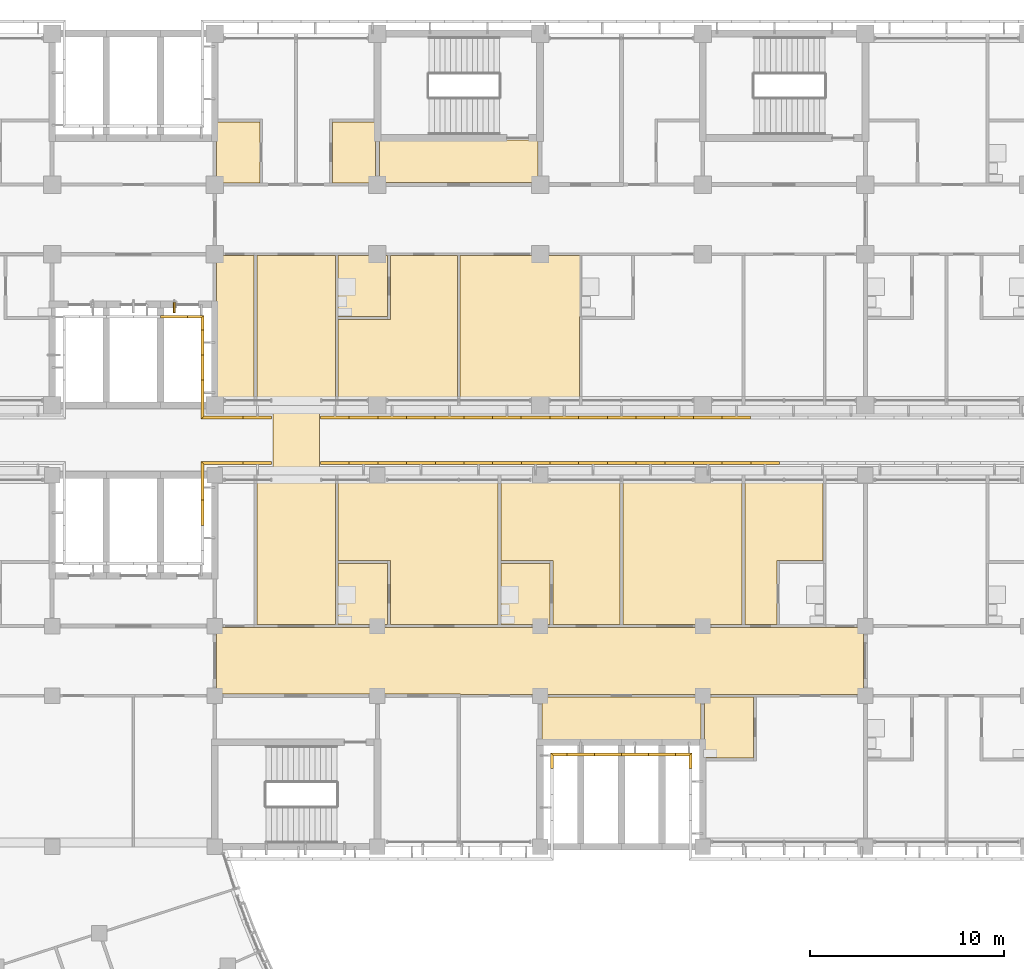
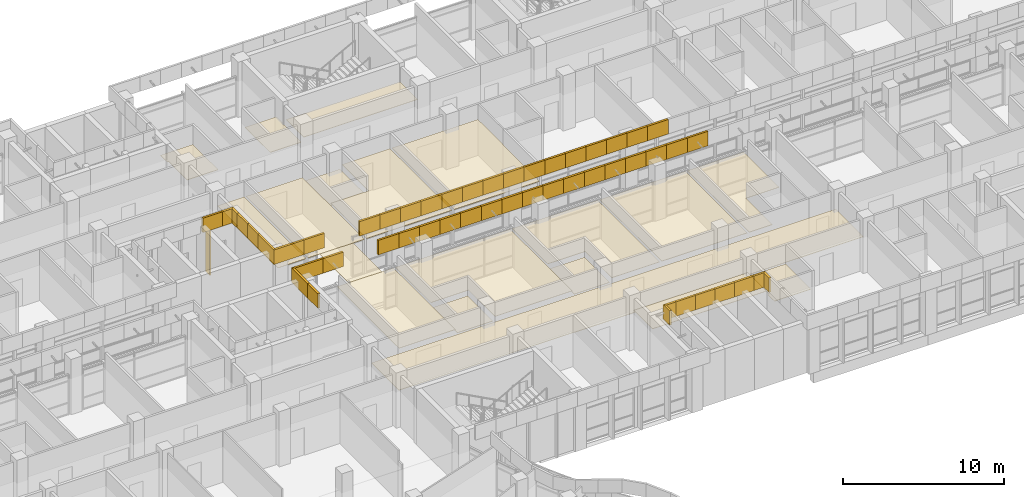
# One storey, part 126 of 137: 70 coverings, 1 shading device.
"""IFC4 building model written with IfcOpenShell, lengths in metres."""

from ifc_helpers import new_model, si_unit, direction, frame, origin, origin_2d, place, context, subcontext, project, spatial, polyline, rectangle, outline, extrude, material, layer, layer_set, material_profile, profile_set, type_object, element, save


model = new_model("IFC4")

# Units and contexts
model_context = context("Model", 3, precision=1e-05, world=origin(), true_north=direction((0.0, 1.0)))
body_context = subcontext(model_context, "Body", "Model", "MODEL_VIEW")
ifc_project = project(units=[si_unit("LENGTHUNIT", "METRE"), si_unit("AREAUNIT", "SQUARE_METRE"), si_unit("VOLUMEUNIT", "CUBIC_METRE"), si_unit("PLANEANGLEUNIT", "RADIAN"), si_unit("MASSUNIT", "GRAM", prefix="KILO")], contexts=[model_context])

# Site, building, storey
site_placement = place(None, origin())
site = spatial("IfcSite", under=ifc_project, at=site_placement, CompositionType="ELEMENT")
building_placement = place(site_placement, origin())
building = spatial("IfcBuilding", under=site, at=building_placement, Name="Bougainvillea Quay General Hospital", CompositionType="ELEMENT")
storey_placement = place(building_placement, frame((0.0, 0.0, 16.800048828125)))
storey = spatial("IfcBuildingStorey", under=building, at=storey_placement, Name="L03", CompositionType="ELEMENT", Elevation=16.800048828125)

# Coverings
ifc_material_1 = material(Name="Powder-coated aluminium fascia, white", Category="aluminium")
ifc_layer_1 = layer(ifc_material_1, 0.14990234375)
ifc_layer_set_1 = layer_set([ifc_layer_1], Name="Powder-coated aluminium fascia, white")
covering_type_1 = type_object("IfcCoveringType", Name="Aluminium fascia band white 150x1100", PredefinedType="CLADDING", material=ifc_layer_set_1)
covering_1_placement = place(storey_placement, frame((72.800048828125, 145.050048828125, 3.64990234375), z_axis=(0.0, 0.0, 1.0), x_axis=(1.0, 0.0, 0.0)))
element("IfcCovering", 1, at=covering_1_placement, inside=storey, type_object=covering_type_1, Name="Fascia band white e0 204", PredefinedType="CLADDING", context=body_context, shape_type="SweptSolid", body=[
    extrude(outline(polyline([(0.0, 0.0), (1.39990234375, 0.0), (1.39990234375, -0.150146484375), (0.0, -0.150146484375), (0.0, 0.0)])), origin(), (0.0, 0.0, 1.0), 1.10009765625),
])
covering_2_placement = place(storey_placement, frame((74.199951171875, 145.050048828125, 3.64990234375), z_axis=(0.0, 0.0, 1.0), x_axis=(1.0, 0.0, 0.0)))
element("IfcCovering", 2, at=covering_2_placement, inside=storey, type_object=covering_type_1, Name="Fascia band white e0 205", PredefinedType="CLADDING", context=body_context, shape_type="SweptSolid", body=[
    extrude(outline(polyline([(0.0, 0.0), (0.85009765625, 0.0), (0.699951171875, -0.150146484375), (0.0, -0.150146484375), (0.0, 0.0)])), origin(), (0.0, 0.0, 1.0), 1.10009765625),
])
covering_3_placement = place(storey_placement, frame((75.050048828125, 145.050048828125, 3.64990234375), z_axis=(0.0, 0.0, 1.0), x_axis=(0.0, -1.0, 0.0)))
element("IfcCovering", 3, at=covering_3_placement, inside=storey, type_object=covering_type_1, Name="Fascia band white e0 206", PredefinedType="CLADDING", context=body_context, shape_type="SweptSolid", body=[
    extrude(outline(polyline([(0.0, 0.0), (0.75, 0.0), (0.75, -0.150146484375), (0.150146484375, -0.150146484375), (0.0, 0.0)])), origin(), (0.0, 0.0, 1.0), 1.10009765625),
])
for number, where, z_axis, x_axis, name in (
    (4, (75.050048828125, 144.300048828125, 3.64990234375), (0.0, 0.0, 1.0), (0.0, -1.0, 0.0), "Fascia band white e0 207"),
    (5, (75.050048828125, 143.0, 3.64990234375), (0.0, 0.0, 1.0), (0.0, -1.0, 0.0), "Fascia band white e0 208"),
):
    element("IfcCovering", number, at=place(storey_placement, frame(where, z_axis=z_axis, x_axis=x_axis)), inside=storey, type_object=covering_type_1, Name=name, PredefinedType="CLADDING", context=body_context, shape_type="SweptSolid", body=[
        extrude(outline(polyline([(0.0, 0.0), (1.300048828125, 0.0), (1.300048828125, -0.150146484375), (0.0, -0.150146484375), (0.0, 0.0)])), origin(), (0.0, 0.0, 1.0), 1.10009765625),
    ])
covering_4_placement = place(storey_placement, frame((75.050048828125, 141.699951171875, 3.64990234375), z_axis=(0.0, 0.0, 1.0), x_axis=(0.0, -1.0, 0.0)))
element("IfcCovering", 6, at=covering_4_placement, inside=storey, type_object=covering_type_1, Name="Fascia band white e0 209", PredefinedType="CLADDING", context=body_context, shape_type="SweptSolid", body=[
    extrude(outline(polyline([(0.0, 0.0), (1.849853515625, 0.0), (2.0, -0.150146484375), (0.0, -0.150146484375), (0.0, 0.0)])), origin(), (0.0, 0.0, 1.0), 1.10009765625),
])
covering_5_placement = place(storey_placement, frame((75.050048828125, 139.85009765625, 3.64990234375), z_axis=(0.0, 0.0, 1.0), x_axis=(1.0, 0.0, 0.0)))
element("IfcCovering", 7, at=covering_5_placement, inside=storey, type_object=covering_type_1, Name="Fascia band white e0 210", PredefinedType="CLADDING", context=body_context, shape_type="SweptSolid", body=[
    extrude(outline(polyline([(0.0, 0.0), (2.02001953125, 0.0), (2.02001953125, -0.150146484375), (-0.150146484375, -0.150146484375), (0.0, 0.0)])), origin(), (0.0, 0.0, 1.0), 1.10009765625),
])
covering_6_placement = place(storey_placement, frame((77.070068359375, 139.85009765625, 3.64990234375), z_axis=(0.0, 0.0, 1.0), x_axis=(1.0, 0.0, 0.0)))
element("IfcCovering", 8, at=covering_6_placement, inside=storey, type_object=covering_type_1, Name="Fascia band white e0 211", PredefinedType="CLADDING", context=body_context, shape_type="SweptSolid", body=[
    extrude(outline(polyline([(0.0, 0.0), (1.469970703125, 0.0), (1.469970703125, -0.150146484375), (0.0, -0.150146484375), (0.0, 0.0)])), origin(), (0.0, 0.0, 1.0), 1.10009765625),
])
covering_7_placement = place(storey_placement, frame((81.06005859375, 139.85009765625, 3.64990234375), z_axis=(0.0, 0.0, 1.0), x_axis=(1.0, 0.0, 0.0)))
element("IfcCovering", 9, at=covering_7_placement, inside=storey, type_object=covering_type_1, Name="Fascia band white e1 1", PredefinedType="CLADDING", context=body_context, shape_type="SweptSolid", body=[
    extrude(outline(polyline([(0.0, 0.0), (1.48095703125, 0.0), (1.48095703125, -0.150146484375), (0.0, -0.150146484375), (0.0, 0.0)])), origin(), (0.0, 0.0, 1.0), 1.10009765625),
])
covering_8_placement = place(storey_placement, frame((82.541015625, 139.85009765625, 3.64990234375), z_axis=(0.0, 0.0, 1.0), x_axis=(1.0, 0.0, 0.0)))
element("IfcCovering", 10, at=covering_8_placement, inside=storey, type_object=covering_type_1, Name="Fascia band white e1 2", PredefinedType="CLADDING", context=body_context, shape_type="SweptSolid", body=[
    extrude(outline(polyline([(0.0, 0.0), (1.481201171875, 0.0), (1.481201171875, -0.150146484375), (0.0, -0.150146484375), (0.0, 0.0)])), origin(), (0.0, 0.0, 1.0), 1.10009765625),
])
for number, where, z_axis, x_axis, name in (
    (11, (84.022216796875, 139.85009765625, 3.64990234375), (0.0, 0.0, 1.0), (1.0, 0.0, 0.0), "Fascia band white e1 3"),
    (12, (85.503173828125, 139.85009765625, 3.64990234375), (0.0, 0.0, 1.0), (1.0, 0.0, 0.0), "Fascia band white e1 4"),
):
    element("IfcCovering", number, at=place(storey_placement, frame(where, z_axis=z_axis, x_axis=x_axis)), inside=storey, type_object=covering_type_1, Name=name, PredefinedType="CLADDING", context=body_context, shape_type="SweptSolid", body=[
        extrude(outline(polyline([(0.0, 0.0), (1.48095703125, 0.0), (1.48095703125, -0.150146484375), (0.0, -0.150146484375), (0.0, 0.0)])), origin(), (0.0, 0.0, 1.0), 1.10009765625),
    ])
covering_9_placement = place(storey_placement, frame((86.984130859375, 139.85009765625, 3.64990234375), z_axis=(0.0, 0.0, 1.0), x_axis=(1.0, 0.0, 0.0)))
element("IfcCovering", 13, at=covering_9_placement, inside=storey, type_object=covering_type_1, Name="Fascia band white e1 5", PredefinedType="CLADDING", context=body_context, shape_type="SweptSolid", body=[
    extrude(outline(polyline([(0.0, 0.0), (1.481201171875, 0.0), (1.481201171875, -0.150146484375), (0.0, -0.150146484375), (0.0, 0.0)])), origin(), (0.0, 0.0, 1.0), 1.10009765625),
])
covering_10_placement = place(storey_placement, frame((88.46533203125, 139.85009765625, 3.64990234375), z_axis=(0.0, 0.0, 1.0), x_axis=(1.0, 0.0, 0.0)))
element("IfcCovering", 14, at=covering_10_placement, inside=storey, type_object=covering_type_1, Name="Fascia band white e1 6", PredefinedType="CLADDING", context=body_context, shape_type="SweptSolid", body=[
    extrude(outline(polyline([(0.0, 0.0), (1.48095703125, 0.0), (1.48095703125, -0.150146484375), (0.0, -0.150146484375), (0.0, 0.0)])), origin(), (0.0, 0.0, 1.0), 1.10009765625),
])
covering_11_placement = place(storey_placement, frame((89.9462890625, 139.85009765625, 3.64990234375), z_axis=(0.0, 0.0, 1.0), x_axis=(1.0, 0.0, 0.0)))
element("IfcCovering", 15, at=covering_11_placement, inside=storey, type_object=covering_type_1, Name="Fascia band white e1 7", PredefinedType="CLADDING", context=body_context, shape_type="SweptSolid", body=[
    extrude(outline(polyline([(0.0, 0.0), (1.481201171875, 0.0), (1.481201171875, -0.150146484375), (0.0, -0.150146484375), (0.0, 0.0)])), origin(), (0.0, 0.0, 1.0), 1.10009765625),
])
for number, where, z_axis, x_axis, name in (
    (16, (91.427490234375, 139.85009765625, 3.64990234375), (0.0, 0.0, 1.0), (1.0, 0.0, 0.0), "Fascia band white e1 8"),
    (17, (92.908447265625, 139.85009765625, 3.64990234375), (0.0, 0.0, 1.0), (1.0, 0.0, 0.0), "Fascia band white e1 9"),
):
    element("IfcCovering", number, at=place(storey_placement, frame(where, z_axis=z_axis, x_axis=x_axis)), inside=storey, type_object=covering_type_1, Name=name, PredefinedType="CLADDING", context=body_context, shape_type="SweptSolid", body=[
        extrude(outline(polyline([(0.0, 0.0), (1.48095703125, 0.0), (1.48095703125, -0.150146484375), (0.0, -0.150146484375), (0.0, 0.0)])), origin(), (0.0, 0.0, 1.0), 1.10009765625),
    ])
covering_12_placement = place(storey_placement, frame((94.389404296875, 139.85009765625, 3.64990234375), z_axis=(0.0, 0.0, 1.0), x_axis=(1.0, 0.0, 0.0)))
element("IfcCovering", 18, at=covering_12_placement, inside=storey, type_object=covering_type_1, Name="Fascia band white e1 10", PredefinedType="CLADDING", context=body_context, shape_type="SweptSolid", body=[
    extrude(outline(polyline([(0.0, 0.0), (1.481201171875, 0.0), (1.481201171875, -0.150146484375), (0.0, -0.150146484375), (0.0, 0.0)])), origin(), (0.0, 0.0, 1.0), 1.10009765625),
])
for number, where, z_axis, x_axis, name in (
    (19, (95.87060546875, 139.85009765625, 3.64990234375), (0.0, 0.0, 1.0), (1.0, 0.0, 0.0), "Fascia band white e1 11"),
    (20, (97.3515625, 139.85009765625, 3.64990234375), (0.0, 0.0, 1.0), (1.0, 0.0, 0.0), "Fascia band white e1 12"),
):
    element("IfcCovering", number, at=place(storey_placement, frame(where, z_axis=z_axis, x_axis=x_axis)), inside=storey, type_object=covering_type_1, Name=name, PredefinedType="CLADDING", context=body_context, shape_type="SweptSolid", body=[
        extrude(outline(polyline([(0.0, 0.0), (1.48095703125, 0.0), (1.48095703125, -0.150146484375), (0.0, -0.150146484375), (0.0, 0.0)])), origin(), (0.0, 0.0, 1.0), 1.10009765625),
    ])
covering_13_placement = place(storey_placement, frame((98.83251953125, 139.85009765625, 3.64990234375), z_axis=(0.0, 0.0, 1.0), x_axis=(1.0, 0.0, 0.0)))
element("IfcCovering", 21, at=covering_13_placement, inside=storey, type_object=covering_type_1, Name="Fascia band white e1 13", PredefinedType="CLADDING", context=body_context, shape_type="SweptSolid", body=[
    extrude(outline(polyline([(0.0, 0.0), (1.481201171875, 0.0), (1.481201171875, -0.150146484375), (0.0, -0.150146484375), (0.0, 0.0)])), origin(), (0.0, 0.0, 1.0), 1.10009765625),
])
covering_14_placement = place(storey_placement, frame((100.313720703125, 139.85009765625, 3.64990234375), z_axis=(0.0, 0.0, 1.0), x_axis=(1.0, 0.0, 0.0)))
element("IfcCovering", 22, at=covering_14_placement, inside=storey, type_object=covering_type_1, Name="Fascia band white e1 14", PredefinedType="CLADDING", context=body_context, shape_type="SweptSolid", body=[
    extrude(outline(polyline([(0.0, 0.0), (1.48095703125, 0.0), (1.48095703125, -0.150146484375), (0.0, -0.150146484375), (0.0, 0.0)])), origin(), (0.0, 0.0, 1.0), 1.10009765625),
])
covering_15_placement = place(storey_placement, frame((101.794677734375, 139.85009765625, 3.64990234375), z_axis=(0.0, 0.0, 1.0), x_axis=(1.0, 0.0, 0.0)))
element("IfcCovering", 23, at=covering_15_placement, inside=storey, type_object=covering_type_1, Name="Fascia band white e1 15", PredefinedType="CLADDING", context=body_context, shape_type="SweptSolid", body=[
    extrude(outline(polyline([(0.0, 0.0), (1.481201171875, 0.0), (1.481201171875, -0.150146484375), (0.0, -0.150146484375), (0.0, 0.0)])), origin(), (0.0, 0.0, 1.0), 1.10009765625),
])
covering_16_placement = place(storey_placement, frame((78.5400390625, 137.35009765625, 3.64990234375), z_axis=(0.0, 0.0, 1.0), x_axis=(-1.0, 0.0, 0.0)))
element("IfcCovering", 24, at=covering_16_placement, inside=storey, type_object=covering_type_1, Name="Fascia band white e0 1", PredefinedType="CLADDING", context=body_context, shape_type="SweptSolid", body=[
    extrude(outline(polyline([(0.0, 0.0), (1.469970703125, 0.0), (1.469970703125, -0.14990234375), (0.0, -0.14990234375), (0.0, 0.0)])), origin(), (0.0, 0.0, 1.0), 1.10009765625),
])
covering_17_placement = place(storey_placement, frame((77.070068359375, 137.35009765625, 3.64990234375), z_axis=(0.0, 0.0, 1.0), x_axis=(-1.0, 0.0, 0.0)))
element("IfcCovering", 25, at=covering_17_placement, inside=storey, type_object=covering_type_1, Name="Fascia band white e0 2", PredefinedType="CLADDING", context=body_context, shape_type="SweptSolid", body=[
    extrude(outline(polyline([(0.0, 0.0), (2.02001953125, 0.0), (2.170166015625, -0.14990234375), (0.0, -0.14990234375), (0.0, 0.0)])), origin(), (0.0, 0.0, 1.0), 1.10009765625),
])
covering_18_placement = place(storey_placement, frame((75.050048828125, 137.35009765625, 3.64990234375), z_axis=(0.0, 0.0, 1.0), x_axis=(0.0, -1.0, 0.0)))
element("IfcCovering", 26, at=covering_18_placement, inside=storey, type_object=covering_type_1, Name="Fascia band white e0 3", PredefinedType="CLADDING", context=body_context, shape_type="SweptSolid", body=[
    extrude(outline(polyline([(0.0, 0.0), (1.85009765625, 0.0), (1.85009765625, -0.150146484375), (-0.14990234375, -0.150146484375), (0.0, 0.0)])), origin(), (0.0, 0.0, 1.0), 1.10009765625),
])
covering_19_placement = place(storey_placement, frame((75.050048828125, 135.5, 3.64990234375), z_axis=(0.0, 0.0, 1.0), x_axis=(0.0, -1.0, 0.0)))
element("IfcCovering", 27, at=covering_19_placement, inside=storey, type_object=covering_type_1, Name="Fascia band white e0 4", PredefinedType="CLADDING", context=body_context, shape_type="SweptSolid", body=[
    extrude(outline(polyline([(0.0, 0.0), (1.300048828125, 0.0), (1.300048828125, -0.150146484375), (0.0, -0.150146484375), (0.0, 0.0)])), origin(), (0.0, 0.0, 1.0), 1.10009765625),
])
covering_20_placement = place(storey_placement, frame((92.949951171875, 121.64990234375, 3.64990234375), z_axis=(0.0, 0.0, 1.0), x_axis=(0.0, 1.0, 0.0)))
element("IfcCovering", 28, at=covering_20_placement, inside=storey, type_object=covering_type_1, Name="Fascia band white e1 15", PredefinedType="CLADDING", context=body_context, shape_type="SweptSolid", body=[
    extrude(outline(polyline([(0.0, 0.0), (0.800048828125, 0.0), (0.650146484375, -0.150146484375), (0.0, -0.150146484375), (0.0, 0.0)])), origin(), (0.0, 0.0, 1.0), 1.10009765625),
])
covering_21_placement = place(storey_placement, frame((92.949951171875, 122.449951171875, 3.64990234375), z_axis=(0.0, 0.0, 1.0), x_axis=(1.0, 0.0, 0.0)))
element("IfcCovering", 29, at=covering_21_placement, inside=storey, type_object=covering_type_1, Name="Fascia band white e1 16", PredefinedType="CLADDING", context=body_context, shape_type="SweptSolid", body=[
    extrude(outline(polyline([(0.0, 0.0), (0.85009765625, 0.0), (0.85009765625, -0.14990234375), (0.150146484375, -0.14990234375), (0.0, 0.0)])), origin(), (0.0, 0.0, 1.0), 1.10009765625),
])
covering_22_placement = place(storey_placement, frame((93.800048828125, 122.449951171875, 3.64990234375), z_axis=(0.0, 0.0, 1.0), x_axis=(1.0, 0.0, 0.0)))
element("IfcCovering", 30, at=covering_22_placement, inside=storey, type_object=covering_type_1, Name="Fascia band white e1 17", PredefinedType="CLADDING", context=body_context, shape_type="SweptSolid", body=[
    extrude(outline(polyline([(0.0, 0.0), (1.39990234375, 0.0), (1.39990234375, -0.14990234375), (0.0, -0.14990234375), (0.0, 0.0)])), origin(), (0.0, 0.0, 1.0), 1.10009765625),
])
covering_23_placement = place(storey_placement, frame((95.199951171875, 122.449951171875, 3.64990234375), z_axis=(0.0, 0.0, 1.0), x_axis=(1.0, 0.0, 0.0)))
element("IfcCovering", 31, at=covering_23_placement, inside=storey, type_object=covering_type_1, Name="Fascia band white e1 18", PredefinedType="CLADDING", context=body_context, shape_type="SweptSolid", body=[
    extrude(outline(polyline([(0.0, 0.0), (1.400146484375, 0.0), (1.400146484375, -0.14990234375), (0.0, -0.14990234375), (0.0, 0.0)])), origin(), (0.0, 0.0, 1.0), 1.10009765625),
])
for number, where, z_axis, x_axis, name in (
    (32, (96.60009765625, 122.449951171875, 3.64990234375), (0.0, 0.0, 1.0), (1.0, 0.0, 0.0), "Fascia band white e1 19"),
    (33, (98.0, 122.449951171875, 3.64990234375), (0.0, 0.0, 1.0), (1.0, 0.0, 0.0), "Fascia band white e1 20"),
):
    element("IfcCovering", number, at=place(storey_placement, frame(where, z_axis=z_axis, x_axis=x_axis)), inside=storey, type_object=covering_type_1, Name=name, PredefinedType="CLADDING", context=body_context, shape_type="SweptSolid", body=[
        extrude(outline(polyline([(0.0, 0.0), (1.39990234375, 0.0), (1.39990234375, -0.14990234375), (0.0, -0.14990234375), (0.0, 0.0)])), origin(), (0.0, 0.0, 1.0), 1.10009765625),
    ])
covering_24_placement = place(storey_placement, frame((99.39990234375, 122.449951171875, 3.64990234375), z_axis=(0.0, 0.0, 1.0), x_axis=(1.0, 0.0, 0.0)))
element("IfcCovering", 34, at=covering_24_placement, inside=storey, type_object=covering_type_1, Name="Fascia band white e1 21", PredefinedType="CLADDING", context=body_context, shape_type="SweptSolid", body=[
    extrude(outline(polyline([(0.0, 0.0), (0.85009765625, 0.0), (0.7001953125, -0.14990234375), (0.0, -0.14990234375), (0.0, 0.0)])), origin(), (0.0, 0.0, 1.0), 1.10009765625),
])
covering_25_placement = place(storey_placement, frame((100.25, 122.449951171875, 3.64990234375), z_axis=(0.0, 0.0, 1.0), x_axis=(0.0, -1.0, 0.0)))
element("IfcCovering", 35, at=covering_25_placement, inside=storey, type_object=covering_type_1, Name="Fascia band white e1 22", PredefinedType="CLADDING", context=body_context, shape_type="SweptSolid", body=[
    extrude(outline(polyline([(0.0, 0.0), (0.800048828125, 0.0), (0.800048828125, -0.14990234375), (0.14990234375, -0.14990234375), (0.0, 0.0)])), origin(), (0.0, 0.0, 1.0), 1.10009765625),
])
for number, where, z_axis, x_axis, name in (
    (36, (104.7666015625, 137.35009765625, 3.64990234375), (0.0, 0.0, 1.0), (-1.0, 0.0, 0.0), "Fascia band white e1 135"),
    (37, (103.284912109375, 137.35009765625, 3.64990234375), (0.0, 0.0, 1.0), (-1.0, 0.0, 0.0), "Fascia band white e1 136"),
):
    element("IfcCovering", number, at=place(storey_placement, frame(where, z_axis=z_axis, x_axis=x_axis)), inside=storey, type_object=covering_type_1, Name=name, PredefinedType="CLADDING", context=body_context, shape_type="SweptSolid", body=[
        extrude(outline(polyline([(0.0, 0.0), (1.481689453125, 0.0), (1.481689453125, -0.14990234375), (0.0, -0.14990234375), (0.0, 0.0)])), origin(), (0.0, 0.0, 1.0), 1.10009765625),
    ])
covering_26_placement = place(storey_placement, frame((101.80322265625, 137.35009765625, 3.64990234375), z_axis=(0.0, 0.0, 1.0), x_axis=(-1.0, 0.0, 0.0)))
element("IfcCovering", 38, at=covering_26_placement, inside=storey, type_object=covering_type_1, Name="Fascia band white e1 137", PredefinedType="CLADDING", context=body_context, shape_type="SweptSolid", body=[
    extrude(outline(polyline([(0.0, 0.0), (1.4814453125, 0.0), (1.4814453125, -0.14990234375), (0.0, -0.14990234375), (0.0, 0.0)])), origin(), (0.0, 0.0, 1.0), 1.10009765625),
])
for number, where, z_axis, x_axis, name in (
    (39, (100.32177734375, 137.35009765625, 3.64990234375), (0.0, 0.0, 1.0), (-1.0, 0.0, 0.0), "Fascia band white e1 138"),
    (40, (98.840087890625, 137.35009765625, 3.64990234375), (0.0, 0.0, 1.0), (-1.0, 0.0, 0.0), "Fascia band white e1 139"),
    (41, (97.3583984375, 137.35009765625, 3.64990234375), (0.0, 0.0, 1.0), (-1.0, 0.0, 0.0), "Fascia band white e1 140"),
    (42, (95.876708984375, 137.35009765625, 3.64990234375), (0.0, 0.0, 1.0), (-1.0, 0.0, 0.0), "Fascia band white e1 141"),
    (43, (94.39501953125, 137.35009765625, 3.64990234375), (0.0, 0.0, 1.0), (-1.0, 0.0, 0.0), "Fascia band white e1 142"),
    (44, (92.913330078125, 137.35009765625, 3.64990234375), (0.0, 0.0, 1.0), (-1.0, 0.0, 0.0), "Fascia band white e1 143"),
    (45, (91.431640625, 137.35009765625, 3.64990234375), (0.0, 0.0, 1.0), (-1.0, 0.0, 0.0), "Fascia band white e1 144"),
    (46, (89.949951171875, 137.35009765625, 3.64990234375), (0.0, 0.0, 1.0), (-1.0, 0.0, 0.0), "Fascia band white e1 145"),
    (47, (88.46826171875, 137.35009765625, 3.64990234375), (0.0, 0.0, 1.0), (-1.0, 0.0, 0.0), "Fascia band white e1 146"),
    (48, (86.986572265625, 137.35009765625, 3.64990234375), (0.0, 0.0, 1.0), (-1.0, 0.0, 0.0), "Fascia band white e1 147"),
):
    element("IfcCovering", number, at=place(storey_placement, frame(where, z_axis=z_axis, x_axis=x_axis)), inside=storey, type_object=covering_type_1, Name=name, PredefinedType="CLADDING", context=body_context, shape_type="SweptSolid", body=[
        extrude(outline(polyline([(0.0, 0.0), (1.481689453125, 0.0), (1.481689453125, -0.14990234375), (0.0, -0.14990234375), (0.0, 0.0)])), origin(), (0.0, 0.0, 1.0), 1.10009765625),
    ])
covering_27_placement = place(storey_placement, frame((85.5048828125, 137.35009765625, 3.64990234375), z_axis=(0.0, 0.0, 1.0), x_axis=(-1.0, 0.0, 0.0)))
element("IfcCovering", 49, at=covering_27_placement, inside=storey, type_object=covering_type_1, Name="Fascia band white e1 148", PredefinedType="CLADDING", context=body_context, shape_type="SweptSolid", body=[
    extrude(outline(polyline([(0.0, 0.0), (1.4814453125, 0.0), (1.4814453125, -0.14990234375), (0.0, -0.14990234375), (0.0, 0.0)])), origin(), (0.0, 0.0, 1.0), 1.10009765625),
])
for number, where, z_axis, x_axis, name in (
    (50, (84.0234375, 137.35009765625, 3.64990234375), (0.0, 0.0, 1.0), (-1.0, 0.0, 0.0), "Fascia band white e1 149"),
    (51, (82.541748046875, 137.35009765625, 3.64990234375), (0.0, 0.0, 1.0), (-1.0, 0.0, 0.0), "Fascia band white e1 150"),
):
    element("IfcCovering", number, at=place(storey_placement, frame(where, z_axis=z_axis, x_axis=x_axis)), inside=storey, type_object=covering_type_1, Name=name, PredefinedType="CLADDING", context=body_context, shape_type="SweptSolid", body=[
        extrude(outline(polyline([(0.0, 0.0), (1.481689453125, 0.0), (1.481689453125, -0.14990234375), (0.0, -0.14990234375), (0.0, 0.0)])), origin(), (0.0, 0.0, 1.0), 1.10009765625),
    ])
ifc_material_2 = material(Name="Mineral fibre ceiling tile")
ifc_layer_2 = layer(ifc_material_2, 0.030029296875)
ifc_layer_set_2 = layer_set([ifc_layer_2], Name="Mineral fibre ceiling tile")
covering_type_2 = type_object("IfcCoveringType", Name="Suspended ceiling mineral fibre tile", PredefinedType="CEILING", material=ifc_layer_set_2)
covering_28_placement = place(storey_placement, frame((0.0, 0.0, 2.699951171875)))
element("IfcCovering", 52, at=covering_28_placement, inside=storey, type_object=covering_type_2, Name="Ceiling Ward Link Bridge 1", PredefinedType="CEILING", context=body_context, shape_type="SweptSolid", body=[
    extrude(outline(polyline([(81.0, 136.800048828125), (81.0, 140.39990234375), (78.60009765625, 140.39990234375), (78.60009765625, 136.800048828125), (81.0, 136.800048828125)])), origin(), (0.0, 0.0, 1.0), 0.030029296875),
])
covering_29_placement = place(storey_placement, frame((0.0, 0.0, 2.699951171875)))
element("IfcCovering", 53, at=covering_29_placement, inside=storey, type_object=covering_type_2, Name="Ceiling Smoke-proof Vestibule ST-A2", PredefinedType="CEILING", context=body_context, shape_type="SweptSolid", body=[
    extrude(outline(polyline([(84.10009765625, 154.10009765625), (84.10009765625, 151.89990234375), (92.300048828125, 151.89990234375), (92.300048828125, 154.10009765625), (84.10009765625, 154.10009765625)])), origin(), (0.0, 0.0, 1.0), 0.030029296875),
])
covering_30_placement = place(storey_placement, frame((0.0, 0.0, 2.699951171875)))
element("IfcCovering", 54, at=covering_30_placement, inside=storey, type_object=covering_type_2, Name="Ceiling Dirty Utility and Sluice Room 03A08", PredefinedType="CEILING", context=body_context, shape_type="SweptSolid", body=[
    extrude(outline(polyline([(77.625, 140.39990234375), (77.625, 148.125), (75.699951171875, 148.125), (75.699951171875, 145.60009765625), (75.60009765625, 145.60009765625), (75.60009765625, 140.39990234375), (77.625, 140.39990234375)])), origin(), (0.0, 0.0, 1.0), 0.030029296875),
])
covering_31_placement = place(storey_placement, frame((0.0, 0.0, 2.39990234375)))
element("IfcCovering", 55, at=covering_31_placement, inside=storey, type_object=covering_type_2, Name="Ceiling En-suite 03A09", PredefinedType="CEILING", context=body_context, shape_type="SweptSolid", body=[
    extrude(outline(polyline([(75.60009765625, 154.199951171875), (75.699951171875, 154.199951171875), (75.699951171875, 151.875), (77.925048828125, 151.875), (77.925048828125, 155.02490234375), (75.60009765625, 155.02490234375), (75.60009765625, 154.199951171875)])), origin(), (0.0, 0.0, 1.0), 0.030029296875),
])
covering_32_placement = place(storey_placement, frame((0.0, 0.0, 2.39990234375)))
element("IfcCovering", 56, at=covering_32_placement, inside=storey, type_object=covering_type_2, Name="Ceiling En-suite 03A10", PredefinedType="CEILING", context=body_context, shape_type="SweptSolid", body=[
    extrude(outline(polyline([(83.949951171875, 154.300048828125), (83.949951171875, 155.02490234375), (81.675048828125, 155.02490234375), (81.675048828125, 151.875), (83.89990234375, 151.875), (83.89990234375, 154.300048828125), (83.949951171875, 154.300048828125)])), origin(), (0.0, 0.0, 1.0), 0.030029296875),
])
covering_33_placement = place(storey_placement, frame((0.0, 0.0, 2.699951171875)))
element("IfcCovering", 57, at=covering_33_placement, inside=storey, type_object=covering_type_2, Name="Ceiling Two-bed Gynaecology Room 03A11", PredefinedType="CEILING", context=body_context, shape_type="SweptSolid", body=[
    extrude(outline(polyline([(88.125, 140.39990234375), (88.125, 148.125), (84.675048828125, 148.125), (84.675048828125, 144.824951171875), (81.97509765625, 144.824951171875), (81.97509765625, 140.39990234375), (88.125, 140.39990234375)])), origin(), (0.0, 0.0, 1.0), 0.030029296875),
])
covering_34_placement = place(storey_placement, frame((0.0, 0.0, 2.39990234375)))
element("IfcCovering", 58, at=covering_34_placement, inside=storey, type_object=covering_type_2, Name="Ceiling En-suite 03A11", PredefinedType="CEILING", context=body_context, shape_type="SweptSolid", body=[
    extrude(outline(polyline([(84.52490234375, 148.125), (81.97509765625, 148.125), (81.97509765625, 144.97509765625), (84.52490234375, 144.97509765625), (84.52490234375, 148.125)])), origin(), (0.0, 0.0, 1.0), 0.030029296875),
])
covering_35_placement = place(storey_placement, frame((0.0, 0.0, 2.699951171875)))
element("IfcCovering", 59, at=covering_35_placement, inside=storey, type_object=covering_type_2, Name="Ceiling Nurses' Station 03A12", PredefinedType="CEILING", context=body_context, shape_type="SweptSolid", body=[
    extrude(outline(polyline([(94.425048828125, 140.39990234375), (94.425048828125, 144.97509765625), (94.449951171875, 144.97509765625), (94.449951171875, 148.125), (88.27490234375, 148.125), (88.27490234375, 140.39990234375), (94.425048828125, 140.39990234375)])), origin(), (0.0, 0.0, 1.0), 0.030029296875),
])
covering_36_placement = place(storey_placement, frame((0.0, 0.0, 2.699951171875)))
element("IfcCovering", 60, at=covering_36_placement, inside=storey, type_object=covering_type_2, Name="Ceiling Ward Link Passage A1", PredefinedType="CEILING", context=body_context, shape_type="SweptSolid", body=[
    extrude(outline(polyline([(81.824951171875, 140.39990234375), (81.824951171875, 148.125), (77.77490234375, 148.125), (77.77490234375, 140.39990234375), (81.824951171875, 140.39990234375)])), origin(), (0.0, 0.0, 1.0), 0.030029296875),
])
covering_37_placement = place(storey_placement, frame((0.0, 0.0, 2.699951171875)))
element("IfcCovering", 61, at=covering_37_placement, inside=storey, type_object=covering_type_2, Name="Ceiling Surgical Ward Room 03B10", PredefinedType="CEILING", context=body_context, shape_type="SweptSolid", body=[
    extrude(outline(polyline([(81.97509765625, 136.800048828125), (81.97509765625, 132.375), (84.675048828125, 132.375), (84.675048828125, 129.074951171875), (90.22509765625, 129.074951171875), (90.22509765625, 136.800048828125), (81.97509765625, 136.800048828125)])), origin(), (0.0, 0.0, 1.0), 0.030029296875),
])
covering_38_placement = place(storey_placement, frame((0.0, 0.0, 2.39990234375)))
element("IfcCovering", 62, at=covering_38_placement, inside=storey, type_object=covering_type_2, Name="Ceiling En-suite 03B10", PredefinedType="CEILING", context=body_context, shape_type="SweptSolid", body=[
    extrude(outline(polyline([(81.97509765625, 132.22509765625), (81.97509765625, 129.074951171875), (84.52490234375, 129.074951171875), (84.52490234375, 132.22509765625), (81.97509765625, 132.22509765625)])), origin(), (0.0, 0.0, 1.0), 0.030029296875),
])
covering_39_placement = place(storey_placement, frame((0.0, 0.0, 2.699951171875)))
element("IfcCovering", 63, at=covering_39_placement, inside=storey, type_object=covering_type_2, Name="Ceiling Two-bed Surgical Room 03B11", PredefinedType="CEILING", context=body_context, shape_type="SweptSolid", body=[
    extrude(outline(polyline([(90.375, 136.800048828125), (90.375, 132.375), (93.074951171875, 132.375), (93.074951171875, 129.074951171875), (96.52490234375, 129.074951171875), (96.52490234375, 136.800048828125), (90.375, 136.800048828125)])), origin(), (0.0, 0.0, 1.0), 0.030029296875),
])
covering_40_placement = place(storey_placement, frame((0.0, 0.0, 2.39990234375)))
element("IfcCovering", 64, at=covering_40_placement, inside=storey, type_object=covering_type_2, Name="Ceiling En-suite 03B11", PredefinedType="CEILING", context=body_context, shape_type="SweptSolid", body=[
    extrude(outline(polyline([(90.375, 132.22509765625), (90.375, 129.074951171875), (92.925048828125, 129.074951171875), (92.925048828125, 132.22509765625), (90.375, 132.22509765625)])), origin(), (0.0, 0.0, 1.0), 0.030029296875),
])
covering_41_placement = place(storey_placement, frame((0.0, 0.0, 2.699951171875)))
element("IfcCovering", 65, at=covering_41_placement, inside=storey, type_object=covering_type_2, Name="Ceiling Nurses' Station 03B12", PredefinedType="CEILING", context=body_context, shape_type="SweptSolid", body=[
    extrude(outline(polyline([(96.675048828125, 136.800048828125), (96.675048828125, 129.074951171875), (102.824951171875, 129.074951171875), (102.824951171875, 136.800048828125), (96.675048828125, 136.800048828125)])), origin(), (0.0, 0.0, 1.0), 0.030029296875),
])
covering_42_placement = place(storey_placement, frame((0.0, 0.0, 2.699951171875)))
element("IfcCovering", 66, at=covering_42_placement, inside=storey, type_object=covering_type_2, Name="Ceiling Post-operative Patient Room 03B13", PredefinedType="CEILING", context=body_context, shape_type="SweptSolid", body=[
    extrude(outline(polyline([(102.97509765625, 136.800048828125), (102.97509765625, 129.074951171875), (104.625, 129.074951171875), (104.625, 132.375), (107.02490234375, 132.375), (107.02490234375, 136.800048828125), (102.97509765625, 136.800048828125)])), origin(), (0.0, 0.0, 1.0), 0.030029296875),
])
covering_43_placement = place(storey_placement, frame((0.0, 0.0, 2.39990234375)))
element("IfcCovering", 67, at=covering_43_placement, inside=storey, type_object=covering_type_2, Name="Ceiling En-suite 03B16", PredefinedType="CEILING", context=body_context, shape_type="SweptSolid", body=[
    extrude(outline(polyline([(100.800048828125, 122.175048828125), (103.425048828125, 122.175048828125), (103.425048828125, 125.324951171875), (100.89990234375, 125.324951171875), (100.89990234375, 123.0), (100.800048828125, 123.0), (100.800048828125, 122.175048828125)])), origin(), (0.0, 0.0, 1.0), 0.030029296875),
])
covering_44_placement = place(storey_placement, frame((0.0, 0.0, 2.39990234375)))
element("IfcCovering", 68, at=covering_44_placement, inside=storey, type_object=covering_type_2, Name="Ceiling Ward Corridor B2", PredefinedType="CEILING", context=body_context, shape_type="SweptSolid", body=[
    extrude(outline(polyline([(75.699951171875, 125.5), (88.300048828125, 125.5), (88.300048828125, 125.47509765625), (109.10009765625, 125.47509765625), (109.10009765625, 128.925048828125), (75.699951171875, 128.925048828125), (75.699951171875, 125.5)])), origin(), (0.0, 0.0, 1.0), 0.030029296875),
])
covering_45_placement = place(storey_placement, frame((0.0, 0.0, 2.699951171875)))
element("IfcCovering", 69, at=covering_45_placement, inside=storey, type_object=covering_type_2, Name="Ceiling Ward Link Passage B1", PredefinedType="CEILING", context=body_context, shape_type="SweptSolid", body=[
    extrude(outline(polyline([(77.77490234375, 136.800048828125), (77.77490234375, 129.074951171875), (81.824951171875, 129.074951171875), (81.824951171875, 136.800048828125), (77.77490234375, 136.800048828125)])), origin(), (0.0, 0.0, 1.0), 0.030029296875),
])
covering_46_placement = place(storey_placement, frame((0.0, 0.0, 2.699951171875)))
element("IfcCovering", 70, at=covering_46_placement, inside=storey, type_object=covering_type_2, Name="Ceiling Lift Machine Room B1", PredefinedType="CEILING", context=body_context, shape_type="SweptSolid", body=[
    extrude(outline(polyline([(100.699951171875, 123.0), (100.699951171875, 125.324951171875), (92.5, 125.324951171875), (92.5, 123.0), (100.699951171875, 123.0)])), origin(), (0.0, 0.0, 1.0), 0.030029296875),
])

# Shading device
ifc_material_3 = material(Name="Powder-coated aluminium fin, white", Category="aluminium")
ifc_material_profile = material_profile(ifc_material_3, rectangle(XDim=0.550048828125, YDim=0.10009765625, at=origin_2d()))
ifc_profile_set = profile_set([ifc_material_profile], Name="Powder-coated aluminium fin, white")
shading_device_type = type_object("IfcShadingDeviceType", Name="Vertical fin 550x100", PredefinedType="USERDEFINED", material=ifc_profile_set)
shading_device_placement = place(storey_placement, frame((73.5, 145.455078125, 0.0), z_axis=(0.0, 0.0, 1.0), x_axis=(0.0, -1.0, 0.0)))
element("IfcShadingDevice", 71, at=shading_device_placement, inside=storey, type_object=shading_device_type, Name="Vertical fin V5A L03 018.1", ObjectType="Vertical fin", PredefinedType="USERDEFINED", context=body_context, shape_type="SweptSolid", body=[
    extrude(rectangle(XDim=0.550048828125, YDim=0.10009765625, at=origin_2d()), origin(), (0.0, 0.0, 1.0), 3.6298828125),
])

save(model, "model.ifc")
